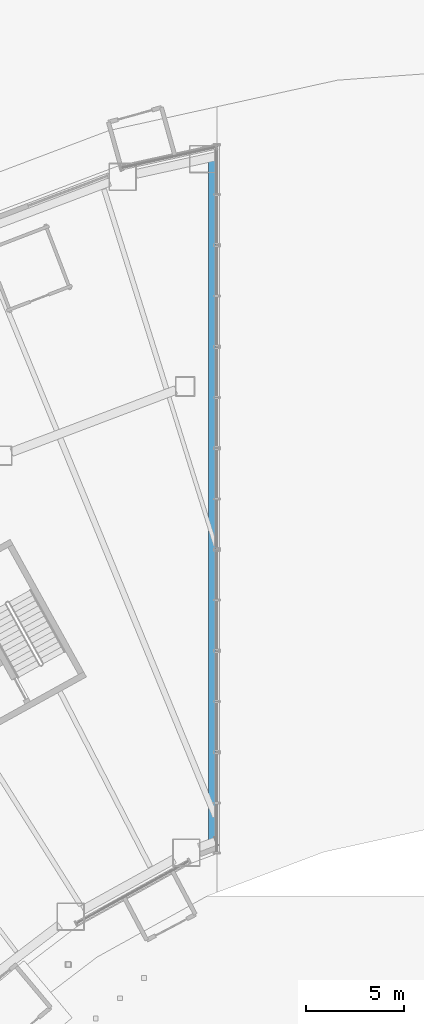
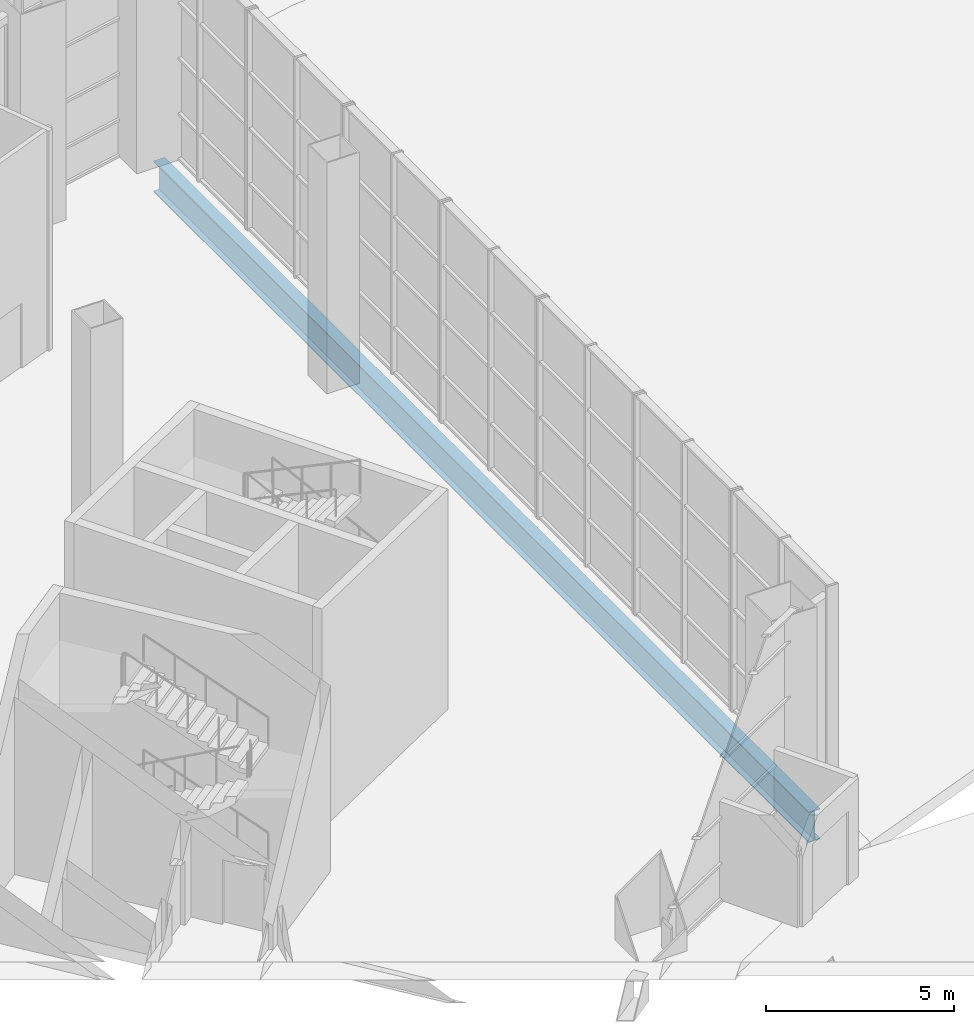
# One storey, part 15 of 45: 1 beam.
"""IFC4 building model written with IfcOpenShell, lengths in metres."""

from ifc_helpers import new_model, si_unit, direction, frame, origin, origin_2d, place, context, subcontext, project, spatial, i_section, extrude, material, material_profile, profile_set, type_object, element, save


model = new_model("IFC4")

# Units and contexts
model_context = context("Model", 3, precision=1e-05, world=origin(), true_north=direction((0.0, 1.0)))
body_context = subcontext(model_context, "Body", "Model", "MODEL_VIEW")
ifc_project = project(units=[si_unit("LENGTHUNIT", "METRE"), si_unit("AREAUNIT", "SQUARE_METRE"), si_unit("VOLUMEUNIT", "CUBIC_METRE"), si_unit("PLANEANGLEUNIT", "RADIAN"), si_unit("MASSUNIT", "GRAM", prefix="KILO")], contexts=[model_context])

# Site, building, storey
site_placement = place(None, origin())
site = spatial("IfcSite", under=ifc_project, at=site_placement, CompositionType="ELEMENT")
building_placement = place(site_placement, origin())
building = spatial("IfcBuilding", under=site, at=building_placement, Name="Tuul Gate Civic Tower", CompositionType="ELEMENT")
storey_placement = place(building_placement, origin())
storey = spatial("IfcBuildingStorey", under=building, at=storey_placement, Name="Level 00", CompositionType="ELEMENT", Elevation=0.0)

# Beam
ifc_material = material(Name="Steel S355", Category="steel")
ifc_material_profile = material_profile(ifc_material, i_section(OverallWidth=0.35009765625, OverallDepth=1.0, WebThickness=0.01611328125, FlangeThickness=0.030029296875, at=origin_2d()), Name="PG1000x350x16x30")
ifc_profile_set = profile_set([ifc_material_profile], Name="Steel S355")
beam_type = type_object("IfcBeamType", Name="STR-RING BEAM-PG1000x350x16x30", PredefinedType="BEAM", material=ifc_profile_set)
beam_placement = place(storey_placement, frame((-18.25, -17.28857421875, -0.89990234375), z_axis=(0.0, 1.0, 0.0), x_axis=(-1.0, 0.0, 0.0)))
element("IfcBeam", 1, at=beam_placement, inside=storey, type_object=beam_type, Name="Tunnel edge beam", PredefinedType="BEAM", context=body_context, shape_type="SweptSolid", body=[
    extrude(i_section(OverallWidth=0.35009765625, OverallDepth=1.0, WebThickness=0.01611328125, FlangeThickness=0.030029296875, at=origin_2d()), origin(), (0.0, 0.0, 1.0), 34.884521484375),
])

save(model, "model.ifc")
